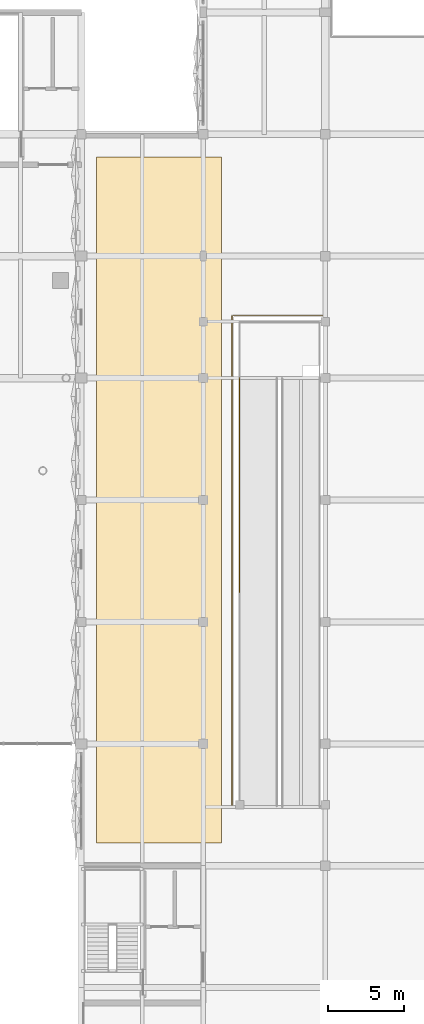
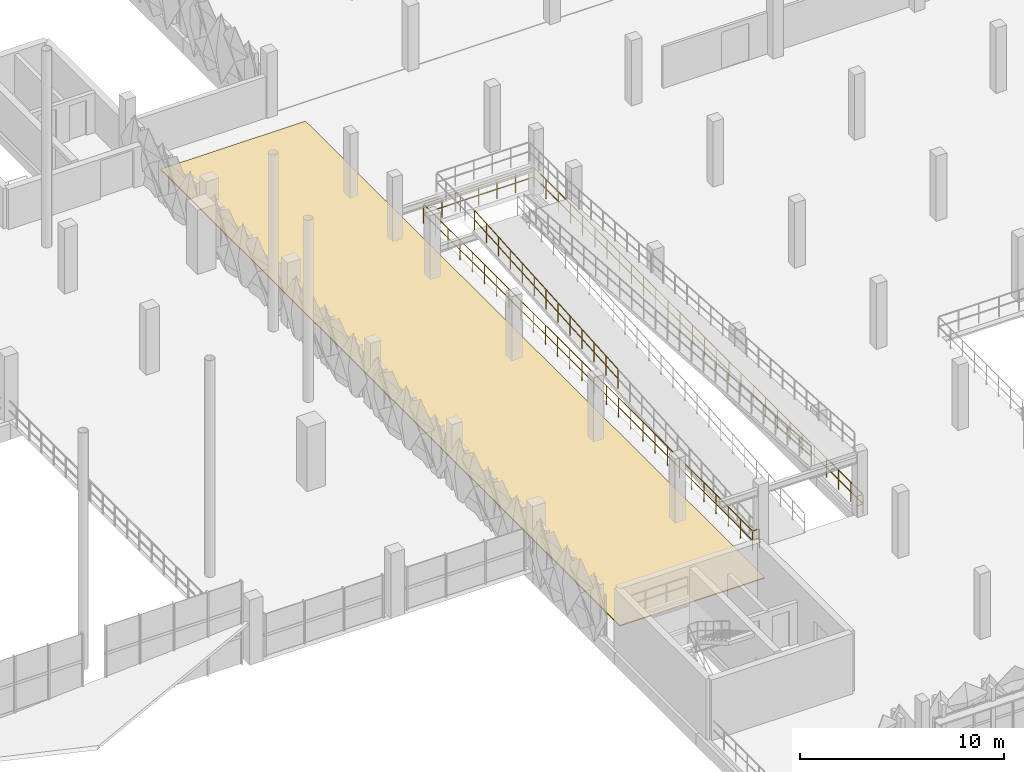
# One storey, part 117 of 123: 2 railings, 1 covering.
"""IFC4 building model written with IfcOpenShell, lengths in metres."""

import ifcopenshell
import ifcopenshell.guid

model = None  # the IFC model being written
_history = None  # IfcOwnerHistory: only IFC2X3 demands one
_inside = {}  # id of a spatial element -> (the spatial element, [elements in it])
_under = {}  # id of a project, library or spatial element -> (it, [spatial elements below it])
_declared = {}  # id of a project -> (the project, [libraries it declares])
_typed = {}  # id of a type object -> (the type object, [elements of that type])
_made_of = {}  # id of a material, layer set ... -> (it, [elements and type objects made of it])


def new_model(schema):
    """Start an empty IFC model of exactly this schema.

    Asked for "IFC4X3", IfcOpenShell would pick the latest addendum, in which some entities
    have other attributes; the version numbers below select the first issue.
    IFC2X3 requires an IfcOwnerHistory on every rooted entity: one is made here for all.
    """
    global model, _history
    if schema == "IFC4X3":
        model = ifcopenshell.file(schema_version=(4, 3, 0, 0))
    else:
        model = ifcopenshell.file(schema=schema)
    _inside.clear()
    _under.clear()
    _declared.clear()
    _typed.clear()
    _made_of.clear()
    _history = None
    if model.schema == "IFC2X3":
        org = make("IfcOrganization", Name="unknown")
        user = make(
            "IfcPersonAndOrganization",
            ThePerson=make("IfcPerson", FamilyName="unknown"),
            TheOrganization=org,
        )
        app = make(
            "IfcApplication",
            ApplicationDeveloper=org,
            Version="unknown",
            ApplicationFullName="unknown",
            ApplicationIdentifier="unknown",
        )
        _history = make(
            "IfcOwnerHistory",
            OwningUser=user,
            OwningApplication=app,
            ChangeAction="ADDED",
            CreationDate=0,
        )
    return model


def make(cls, **values):
    """One entity of the class cls with the attributes given. An attribute that is None is left unset."""
    return model.create_entity(
        cls, **{name: value for name, value in values.items() if value is not None}
    )


def rooted(cls, **values):
    """An entity with a GlobalId (a new one), such as an element, a storey or a relation."""
    return make(cls, GlobalId=ifcopenshell.guid.new(), OwnerHistory=_history, **values)


def si_unit(unit_type, name, prefix=None):
    """IfcSIUnit, for example si_unit("LENGTHUNIT", "METRE", prefix="MILLI")."""
    return make("IfcSIUnit", UnitType=unit_type, Prefix=prefix, Name=name)


def derived_unit(unit_type, elements):
    """IfcDerivedUnit: a product of units, each with its exponent."""
    return make(
        "IfcDerivedUnit",
        Elements=[
            make("IfcDerivedUnitElement", Unit=unit, Exponent=power)
            for unit, power in elements
        ],
        UnitType=unit_type,
    )


def assignment(units):
    """IfcUnitAssignment: the units of a project."""
    return None if units is None else make("IfcUnitAssignment", Units=units)


def point(xyz):
    """IfcCartesianPoint."""
    return None if xyz is None else make("IfcCartesianPoint", Coordinates=xyz)


def direction(xyz):
    """IfcDirection."""
    return None if xyz is None else make("IfcDirection", DirectionRatios=xyz)


def frame(location, z_axis=None, x_axis=None):
    """IfcAxis2Placement3D, a coordinate frame: its origin and axes. An axis left out is left unset."""
    return make(
        "IfcAxis2Placement3D",
        Location=point(location),
        Axis=direction(z_axis),
        RefDirection=direction(x_axis),
    )


def frame_2d(location, x_axis=None):
    """IfcAxis2Placement2D, a coordinate frame in the plane: its origin and x axis."""
    return make(
        "IfcAxis2Placement2D", Location=point(location), RefDirection=direction(x_axis)
    )


def origin():
    """The frame at (0, 0, 0) with its axes left unset."""
    return frame((0.0, 0.0, 0.0))


def origin_2d():
    """The frame at (0, 0) in the plane with its x axis left unset."""
    return frame_2d((0.0, 0.0))


def place(relative_to, where):
    """IfcLocalPlacement: puts the frame where relative to a parent placement (None: the world)."""
    return make(
        "IfcLocalPlacement", PlacementRelTo=relative_to, RelativePlacement=where
    )


def context(
    kind, dimensions, precision=None, world=None, true_north=None, identifier=None
):
    """IfcGeometricRepresentationContext, for example the 3D "Model" context."""
    return make(
        "IfcGeometricRepresentationContext",
        ContextIdentifier=identifier,
        ContextType=kind,
        CoordinateSpaceDimension=dimensions,
        Precision=precision,
        WorldCoordinateSystem=world,
        TrueNorth=true_north,
    )


def subcontext(parent, identifier, kind, view, scale=None):
    """IfcGeometricRepresentationSubContext, for example "Body" below "Model"."""
    return make(
        "IfcGeometricRepresentationSubContext",
        ContextIdentifier=identifier,
        ContextType=kind,
        ParentContext=parent,
        TargetScale=scale,
        TargetView=view,
    )


def project(units=None, contexts=None):
    """IfcProject with its units and contexts."""
    return rooted(
        "IfcProject",
        Name="project",
        RepresentationContexts=contexts,
        UnitsInContext=assignment(units),
    )


def spatial(cls, under=None, at=None, **own):
    """A site, building, storey or space (cls), placed at a placement, below another one or the project."""
    s = rooted(cls, ObjectPlacement=at, **own)
    if under is not None:
        _under.setdefault(under.id(), (under, []))[1].append(s)
    return s


def polyline(points):
    """IfcPolyline through the points."""
    return make("IfcPolyline", Points=[point(p) for p in points])


def profile(cls, at=None, kind="AREA", **sizes):
    """A parametric profile (cls). Its sizes go by their IFC names, for example OverallWidth=200.0."""
    return make(cls, ProfileType=kind, Position=at, **sizes)


def circle(**sizes):
    """IfcCircleProfileDef."""
    return profile("IfcCircleProfileDef", **sizes)


def outline(outer, holes=None, kind="AREA"):
    """IfcArbitraryClosedProfileDef: a profile drawn as a closed curve; with holes, ...WithVoids."""
    if holes is None:
        return make("IfcArbitraryClosedProfileDef", ProfileType=kind, OuterCurve=outer)
    return make(
        "IfcArbitraryProfileDefWithVoids",
        ProfileType=kind,
        OuterCurve=outer,
        InnerCurves=holes,
    )


def extrude(swept, where, along, depth):
    """IfcExtrudedAreaSolid: the profile swept, set in the frame where, extruded along a direction by depth."""
    return make(
        "IfcExtrudedAreaSolid",
        SweptArea=swept,
        Position=where,
        ExtrudedDirection=direction(along),
        Depth=depth,
    )


def shape(context_of_items, identifier, shape_type, items):
    """IfcShapeRepresentation: the items that make up one representation, for example the "Body"."""
    return make(
        "IfcShapeRepresentation",
        ContextOfItems=context_of_items,
        RepresentationIdentifier=identifier,
        RepresentationType=shape_type,
        Items=items,
    )


def material(Name=None, Category=None):
    """IfcMaterial."""
    return make("IfcMaterial", Name=Name, Category=Category)


def layer(
    of_material, thickness, ventilated=None, Name=None, Category=None, Priority=None
):
    """IfcMaterialLayer: one layer of a wall or slab, of a material (None: an air gap)."""
    return make(
        "IfcMaterialLayer",
        Material=of_material,
        LayerThickness=thickness,
        IsVentilated=ventilated,
        Name=Name,
        Category=Category,
        Priority=Priority,
    )


def layer_set(layers, Name=None):
    """IfcMaterialLayerSet."""
    return make("IfcMaterialLayerSet", MaterialLayers=layers, LayerSetName=Name)


def made_of(thing, what):
    """Note that an element or type object is made of a material, layer set ...; save() writes the relation."""
    if what is not None:
        _made_of.setdefault(what.id(), (what, []))[1].append(thing)
    return thing


def type_object(cls, material=None, **own):
    """A type object (cls), such as IfcWallType, which elements share."""
    return made_of(rooted(cls, **own), material)


def element(
    cls,
    number,
    at=None,
    inside=None,
    cuts=None,
    type_object=None,
    material=None,
    context=None,
    identifier="Body",
    shape_type=None,
    held_by="IfcProductDefinitionShape",
    body=None,
    shapes=None,
    **own,
):
    """One element of the class cls, such as IfcWall. Its Tag is "e" and its number.

    at: its placement. inside: the storey or other place that contains it. cuts: it is an
    opening in that element (IfcRelVoidsElement). A single representation is given by context,
    identifier, shape_type and body (its items); several are given by shapes. held_by: the class
    of the entity that holds the representations. save() writes the other relations.
    """
    e = rooted(cls, Tag="e%d" % number, ObjectPlacement=at, **own)
    if body is not None:
        shapes = [shape(context, identifier, shape_type, body)]
    if shapes is not None:
        e.Representation = make(held_by, Representations=shapes)
    if inside is not None:
        _inside.setdefault(inside.id(), (inside, []))[1].append(e)
    if cuts is not None:
        rooted(
            "IfcRelVoidsElement", RelatingBuildingElement=cuts, RelatedOpeningElement=e
        )
    if type_object is not None:
        _typed.setdefault(type_object.id(), (type_object, []))[1].append(e)
    return made_of(e, material)


def aggregate(whole, parts):
    """IfcRelAggregates: a whole, such as a stair, and the parts it consists of."""
    return rooted("IfcRelAggregates", RelatingObject=whole, RelatedObjects=parts)


def save(model, path):
    """Write the relations noted so far, then the file.

    IfcRelAggregates (storeys below a building ...), IfcRelContainedInSpatialStructure (elements
    in a storey), IfcRelDefinesByType, IfcRelAssociatesMaterial and IfcRelDeclares: one each for
    every whole, place, type object, material and project.
    """
    for whole, parts in _under.values():
        aggregate(whole, parts)
    for where, things in _inside.values():
        rooted(
            "IfcRelContainedInSpatialStructure",
            RelatedElements=things,
            RelatingStructure=where,
        )
    for kind, things in _typed.values():
        rooted("IfcRelDefinesByType", RelatedObjects=things, RelatingType=kind)
    for what, things in _made_of.values():
        rooted("IfcRelAssociatesMaterial", RelatedObjects=things, RelatingMaterial=what)
    for by, libraries in _declared.values():
        rooted("IfcRelDeclares", RelatingContext=by, RelatedDefinitions=libraries)
    model.write(path)


model = new_model("IFC4")

# Units and contexts
model_context = context("Model", 3, precision=1e-05, world=origin(), true_north=direction((0.0, 1.0)))
body_context = subcontext(model_context, "Body", "Model", "MODEL_VIEW")
ifc_project = project(units=[si_unit("LENGTHUNIT", "METRE"), si_unit("AREAUNIT", "SQUARE_METRE"), si_unit("VOLUMEUNIT", "CUBIC_METRE"), si_unit("PLANEANGLEUNIT", "RADIAN"), si_unit("MASSUNIT", "GRAM", prefix="KILO"), si_unit("THERMODYNAMICTEMPERATUREUNIT", "KELVIN"), derived_unit("THERMALTRANSMITTANCEUNIT", [(si_unit("POWERUNIT", "WATT"), 1), (si_unit("AREAUNIT", "SQUARE_METRE"), -1), (si_unit("THERMODYNAMICTEMPERATUREUNIT", "KELVIN"), -1)])], contexts=[model_context])

# Site, building, storey
site_placement = place(None, origin())
site = spatial("IfcSite", under=ifc_project, at=site_placement, CompositionType="ELEMENT")
building_placement = place(site_placement, origin())
building = spatial("IfcBuilding", under=site, at=building_placement, Name="Haiyu Intermodal Mobility Hub", CompositionType="ELEMENT")
storey_placement = place(building_placement, frame((0.0, 0.0, 5.60009765625)))
storey = spatial("IfcBuildingStorey", under=building, at=storey_placement, Name="L01", CompositionType="ELEMENT", Elevation=5.60009765625)

# Covering
ifc_material_1 = material(Name="Anodised aluminium 6063-T6", Category="aluminium")
ifc_layer = layer(ifc_material_1, 0.06005859375)
ifc_layer_set = layer_set([ifc_layer], Name="Anodised aluminium 6063-T6")
covering_type = type_object("IfcCoveringType", Name="COV-CV02", PredefinedType="CLADDING", material=ifc_layer_set)
covering_placement = place(storey_placement, origin())
element("IfcCovering", 1, at=covering_placement, inside=storey, type_object=covering_type, Name="COV-FLR-004", PredefinedType="CLADDING", context=body_context, shape_type="SweptSolid", body=[
    extrude(outline(polyline([(155.0, 33.5), (163.199951171875, 33.5), (163.199951171875, 78.5), (155.0, 78.5), (155.0, 33.5)])), origin(), (0.0, 0.0, 1.0), 0.059814453125),
])

# Railings
ifc_material_2 = material(Name="Steel Q355C", Category="steel")
railing_type = type_object("IfcRailingType", Name="RAL-GR03", PredefinedType="GUARDRAIL", material=ifc_material_2)
railing_1_placement = place(storey_placement, frame((164.3798828125, 49.949951171875, 0.974853515625)))
element("IfcRailing", 2, at=railing_1_placement, inside=storey, type_object=railing_type, Name="RAL-RMP-BIKE-L01-F1WB", PredefinedType="GUARDRAIL", context=body_context, shape_type="SweptSolid", body=[
    extrude(circle(Radius=0.02392578125, at=origin_2d()), frame((0.0, 0.030029296875, 1.157958984375), z_axis=(0.0, 0.997600365218, 0.069235188425), x_axis=(-1.0, 0.0, 0.0)), (0.0, 0.0, 1.0), 14.02392578125),
    extrude(circle(Radius=0.02392578125, at=origin_2d()), frame((0.0, 0.037109375, 0.592529296875), z_axis=(0.0, 0.997600365218, 0.069235188425), x_axis=(-1.0, 0.0, 0.0)), (0.0, 0.0, 1.0), 1.09912109375),
    extrude(circle(Radius=0.02392578125, at=origin_2d()), frame((0.0, 1.2080078125, 0.673828125), z_axis=(0.0, 0.997600365218, 0.069235188425), x_axis=(-1.0, 0.0, 0.0)), (0.0, 0.0, 1.0), 1.09912109375),
    extrude(circle(Radius=0.02392578125, at=origin_2d()), frame((0.0, 2.37890625, 0.755126953125), z_axis=(0.0, 0.997600365218, 0.069235188425), x_axis=(-1.0, 0.0, 0.0)), (0.0, 0.0, 1.0), 1.09912109375),
    extrude(circle(Radius=0.02392578125, at=origin_2d()), frame((0.0, 3.5498046875, 0.83642578125), z_axis=(0.0, 0.997600365218, 0.069235188425), x_axis=(-1.0, 0.0, 0.0)), (0.0, 0.0, 1.0), 1.09912109375),
    extrude(circle(Radius=0.02392578125, at=origin_2d()), frame((0.0, 4.720458984375, 0.91748046875), z_axis=(0.0, 0.997600365218, 0.069235188425), x_axis=(-1.0, 0.0, 0.0)), (0.0, 0.0, 1.0), 1.09912109375),
    extrude(circle(Radius=0.02392578125, at=origin_2d()), frame((0.0, 5.891357421875, 0.998779296875), z_axis=(0.0, 0.997600365218, 0.069235188425), x_axis=(-1.0, 0.0, 0.0)), (0.0, 0.0, 1.0), 1.09912109375),
    extrude(circle(Radius=0.02392578125, at=origin_2d()), frame((0.0, 7.062255859375, 1.080078125), z_axis=(0.0, 0.997600365218, 0.069235188425), x_axis=(-1.0, 0.0, 0.0)), (0.0, 0.0, 1.0), 1.09912109375),
    extrude(circle(Radius=0.02392578125, at=origin_2d()), frame((0.0, 8.233154296875, 1.161376953125), z_axis=(0.0, 0.997600365218, 0.069235188425), x_axis=(-1.0, 0.0, 0.0)), (0.0, 0.0, 1.0), 1.09912109375),
    extrude(circle(Radius=0.02392578125, at=origin_2d()), frame((0.0, 9.40380859375, 1.24267578125), z_axis=(0.0, 0.997600365218, 0.069235188425), x_axis=(-1.0, 0.0, 0.0)), (0.0, 0.0, 1.0), 1.09912109375),
    extrude(circle(Radius=0.02392578125, at=origin_2d()), frame((0.0, 10.57470703125, 1.323974609375), z_axis=(0.0, 0.997600365218, 0.069235188425), x_axis=(-1.0, 0.0, 0.0)), (0.0, 0.0, 1.0), 1.09912109375),
    extrude(circle(Radius=0.02392578125, at=origin_2d()), frame((0.0, 11.74560546875, 1.405029296875), z_axis=(0.0, 0.997600365218, 0.069235188425), x_axis=(-1.0, 0.0, 0.0)), (0.0, 0.0, 1.0), 1.09912109375),
    extrude(circle(Radius=0.02392578125, at=origin_2d()), frame((0.0, 12.91650390625, 1.486328125), z_axis=(0.0, 0.997600365218, 0.069235188425), x_axis=(-1.0, 0.0, 0.0)), (0.0, 0.0, 1.0), 1.09912109375),
    extrude(circle(Radius=0.02099609375, at=origin_2d()), origin(), (0.0, 0.0, 1.0), 1.123779296875),
    extrude(circle(Radius=0.02099609375, at=origin_2d()), frame((0.0, 1.1708984375, 0.081298828125)), (0.0, 0.0, 1.0), 1.123779296875),
    extrude(circle(Radius=0.02099609375, at=origin_2d()), frame((0.0, 2.341796875, 0.16259765625)), (0.0, 0.0, 1.0), 1.123779296875),
    extrude(circle(Radius=0.02099609375, at=origin_2d()), frame((0.0, 3.512451171875, 0.24365234375)), (0.0, 0.0, 1.0), 1.123779296875),
    extrude(circle(Radius=0.02099609375, at=origin_2d()), frame((0.0, 4.683349609375, 0.324951171875)), (0.0, 0.0, 1.0), 1.123779296875),
    extrude(circle(Radius=0.02099609375, at=origin_2d()), frame((0.0, 5.854248046875, 0.40625)), (0.0, 0.0, 1.0), 1.123779296875),
    extrude(circle(Radius=0.02099609375, at=origin_2d()), frame((0.0, 7.02490234375, 0.487548828125)), (0.0, 0.0, 1.0), 1.123779296875),
    extrude(circle(Radius=0.02099609375, at=origin_2d()), frame((0.0, 8.19580078125, 0.56884765625)), (0.0, 0.0, 1.0), 1.123779296875),
    extrude(circle(Radius=0.02099609375, at=origin_2d()), frame((0.0, 9.36669921875, 0.650146484375)), (0.0, 0.0, 1.0), 1.123779296875),
    extrude(circle(Radius=0.02099609375, at=origin_2d()), frame((0.0, 10.53759765625, 0.7314453125)), (0.0, 0.0, 1.0), 1.123779296875),
    extrude(circle(Radius=0.02099609375, at=origin_2d()), frame((0.0, 11.70849609375, 0.8125)), (0.0, 0.0, 1.0), 1.123779296875),
    extrude(circle(Radius=0.02099609375, at=origin_2d()), frame((0.0, 12.879150390625, 0.893798828125)), (0.0, 0.0, 1.0), 1.123779296875),
    extrude(circle(Radius=0.02099609375, at=origin_2d()), frame((0.0, 14.050048828125, 0.97509765625)), (0.0, 0.0, 1.0), 1.123779296875),
])
railing_2_placement = place(storey_placement, frame((164.260009765625, 35.8798828125, 0.0)))
element("IfcRailing", 3, at=railing_2_placement, inside=storey, type_object=railing_type, Name="RAL-BRMP-L01", PredefinedType="GUARDRAIL", context=body_context, shape_type="SweptSolid", body=[
    extrude(circle(Radius=0.02392578125, at=origin_2d()), frame((-0.030029296875, 0.0, 1.15576171875), z_axis=(-1.0, 0.0, 0.0), x_axis=(0.0, -1.0, 0.0)), (0.0, 0.0, 1.0), 0.320068359375),
    extrude(circle(Radius=0.02392578125, at=origin_2d()), frame((-0.037353515625, 0.0, 0.58984375), z_axis=(-1.0, 0.0, 0.0), x_axis=(0.0, -1.0, 0.0)), (0.0, 0.0, 1.0), 0.305419921875),
    extrude(circle(Radius=0.02392578125, at=origin_2d()), frame((-0.380126953125, 0.030029296875, 1.15576171875), z_axis=(0.0, 1.0, 0.0), x_axis=(-1.0, 0.0, 0.0)), (0.0, 0.0, 1.0), 32.18017578125),
    extrude(circle(Radius=0.02392578125, at=origin_2d()), frame((-0.380126953125, 0.037353515625, 0.58984375), z_axis=(0.0, 1.0, 0.0), x_axis=(-1.0, 0.0, 0.0)), (0.0, 0.0, 1.0), 1.119384765625),
    extrude(circle(Radius=0.02392578125, at=origin_2d()), frame((-0.380126953125, 1.2314453125, 0.58984375), z_axis=(0.0, 1.0, 0.0), x_axis=(-1.0, 0.0, 0.0)), (0.0, 0.0, 1.0), 1.119384765625),
    extrude(circle(Radius=0.02392578125, at=origin_2d()), frame((-0.380126953125, 2.425537109375, 0.58984375), z_axis=(0.0, 1.0, 0.0), x_axis=(-1.0, 0.0, 0.0)), (0.0, 0.0, 1.0), 1.119384765625),
    extrude(circle(Radius=0.02392578125, at=origin_2d()), frame((-0.380126953125, 3.61962890625, 0.58984375), z_axis=(0.0, 1.0, 0.0), x_axis=(-1.0, 0.0, 0.0)), (0.0, 0.0, 1.0), 1.119384765625),
    extrude(circle(Radius=0.02392578125, at=origin_2d()), frame((-0.380126953125, 4.813720703125, 0.58984375), z_axis=(0.0, 1.0, 0.0), x_axis=(-1.0, 0.0, 0.0)), (0.0, 0.0, 1.0), 1.119384765625),
    extrude(circle(Radius=0.02392578125, at=origin_2d()), frame((-0.380126953125, 6.0078125, 0.58984375), z_axis=(0.0, 1.0, 0.0), x_axis=(-1.0, 0.0, 0.0)), (0.0, 0.0, 1.0), 1.119384765625),
    extrude(circle(Radius=0.02392578125, at=origin_2d()), frame((-0.380126953125, 7.201904296875, 0.58984375), z_axis=(0.0, 1.0, 0.0), x_axis=(-1.0, 0.0, 0.0)), (0.0, 0.0, 1.0), 1.119384765625),
    extrude(circle(Radius=0.02392578125, at=origin_2d()), frame((-0.380126953125, 8.39599609375, 0.58984375), z_axis=(0.0, 1.0, 0.0), x_axis=(-1.0, 0.0, 0.0)), (0.0, 0.0, 1.0), 1.119384765625),
    extrude(circle(Radius=0.02392578125, at=origin_2d()), frame((-0.380126953125, 9.58984375, 0.58984375), z_axis=(0.0, 1.0, 0.0), x_axis=(-1.0, 0.0, 0.0)), (0.0, 0.0, 1.0), 1.119384765625),
    extrude(circle(Radius=0.02392578125, at=origin_2d()), frame((-0.380126953125, 10.783935546875, 0.58984375), z_axis=(0.0, 1.0, 0.0), x_axis=(-1.0, 0.0, 0.0)), (0.0, 0.0, 1.0), 1.119384765625),
    extrude(circle(Radius=0.02392578125, at=origin_2d()), frame((-0.380126953125, 11.97802734375, 0.58984375), z_axis=(0.0, 1.0, 0.0), x_axis=(-1.0, 0.0, 0.0)), (0.0, 0.0, 1.0), 1.119384765625),
    extrude(circle(Radius=0.02392578125, at=origin_2d()), frame((-0.380126953125, 13.172119140625, 0.58984375), z_axis=(0.0, 1.0, 0.0), x_axis=(-1.0, 0.0, 0.0)), (0.0, 0.0, 1.0), 1.119384765625),
    extrude(circle(Radius=0.02392578125, at=origin_2d()), frame((-0.380126953125, 14.3662109375, 0.58984375), z_axis=(0.0, 1.0, 0.0), x_axis=(-1.0, 0.0, 0.0)), (0.0, 0.0, 1.0), 1.119384765625),
    extrude(circle(Radius=0.02392578125, at=origin_2d()), frame((-0.380126953125, 15.560302734375, 0.58984375), z_axis=(0.0, 1.0, 0.0), x_axis=(-1.0, 0.0, 0.0)), (0.0, 0.0, 1.0), 1.119384765625),
    extrude(circle(Radius=0.02392578125, at=origin_2d()), frame((-0.380126953125, 16.75439453125, 0.58984375), z_axis=(0.0, 1.0, 0.0), x_axis=(-1.0, 0.0, 0.0)), (0.0, 0.0, 1.0), 1.119384765625),
    extrude(circle(Radius=0.02392578125, at=origin_2d()), frame((-0.380126953125, 17.948486328125, 0.58984375), z_axis=(0.0, 1.0, 0.0), x_axis=(-1.0, 0.0, 0.0)), (0.0, 0.0, 1.0), 1.119384765625),
    extrude(circle(Radius=0.02392578125, at=origin_2d()), frame((-0.380126953125, 19.142578125, 0.58984375), z_axis=(0.0, 1.0, 0.0), x_axis=(-1.0, 0.0, 0.0)), (0.0, 0.0, 1.0), 1.119384765625),
    extrude(circle(Radius=0.02392578125, at=origin_2d()), frame((-0.380126953125, 20.336669921875, 0.58984375), z_axis=(0.0, 1.0, 0.0), x_axis=(-1.0, 0.0, 0.0)), (0.0, 0.0, 1.0), 1.119384765625),
    extrude(circle(Radius=0.02392578125, at=origin_2d()), frame((-0.380126953125, 21.53076171875, 0.58984375), z_axis=(0.0, 1.0, 0.0), x_axis=(-1.0, 0.0, 0.0)), (0.0, 0.0, 1.0), 1.119384765625),
    extrude(circle(Radius=0.02392578125, at=origin_2d()), frame((-0.380126953125, 22.724853515625, 0.58984375), z_axis=(0.0, 1.0, 0.0), x_axis=(-1.0, 0.0, 0.0)), (0.0, 0.0, 1.0), 1.119384765625),
    extrude(circle(Radius=0.02392578125, at=origin_2d()), frame((-0.380126953125, 23.9189453125, 0.58984375), z_axis=(0.0, 1.0, 0.0), x_axis=(-1.0, 0.0, 0.0)), (0.0, 0.0, 1.0), 1.119384765625),
    extrude(circle(Radius=0.02392578125, at=origin_2d()), frame((-0.380126953125, 25.113037109375, 0.58984375), z_axis=(0.0, 1.0, 0.0), x_axis=(-1.0, 0.0, 0.0)), (0.0, 0.0, 1.0), 1.119384765625),
    extrude(circle(Radius=0.02392578125, at=origin_2d()), frame((-0.380126953125, 26.30712890625, 0.58984375), z_axis=(0.0, 1.0, 0.0), x_axis=(-1.0, 0.0, 0.0)), (0.0, 0.0, 1.0), 1.119384765625),
    extrude(circle(Radius=0.02392578125, at=origin_2d()), frame((-0.380126953125, 27.501220703125, 0.58984375), z_axis=(0.0, 1.0, 0.0), x_axis=(-1.0, 0.0, 0.0)), (0.0, 0.0, 1.0), 1.119384765625),
    extrude(circle(Radius=0.02392578125, at=origin_2d()), frame((-0.380126953125, 28.6953125, 0.58984375), z_axis=(0.0, 1.0, 0.0), x_axis=(-1.0, 0.0, 0.0)), (0.0, 0.0, 1.0), 1.119384765625),
    extrude(circle(Radius=0.02392578125, at=origin_2d()), frame((-0.380126953125, 29.889404296875, 0.58984375), z_axis=(0.0, 1.0, 0.0), x_axis=(-1.0, 0.0, 0.0)), (0.0, 0.0, 1.0), 1.119384765625),
    extrude(circle(Radius=0.02392578125, at=origin_2d()), frame((-0.380126953125, 31.08349609375, 0.58984375), z_axis=(0.0, 1.0, 0.0), x_axis=(-1.0, 0.0, 0.0)), (0.0, 0.0, 1.0), 1.119384765625),
    extrude(circle(Radius=0.02392578125, at=origin_2d()), frame((-0.35009765625, 32.240234375, 1.15576171875), z_axis=(1.0, 0.0, 0.0), x_axis=(0.0, 1.0, 0.0)), (0.0, 0.0, 1.0), 6.18017578125),
    extrude(circle(Radius=0.02392578125, at=origin_2d()), frame((-0.3427734375, 32.240234375, 0.58984375), z_axis=(1.0, 0.0, 0.0), x_axis=(0.0, 1.0, 0.0)), (0.0, 0.0, 1.0), 0.96533203125),
    extrude(circle(Radius=0.02392578125, at=origin_2d()), frame((0.697265625, 32.240234375, 0.58984375), z_axis=(1.0, 0.0, 0.0), x_axis=(0.0, 1.0, 0.0)), (0.0, 0.0, 1.0), 0.96533203125),
    extrude(circle(Radius=0.02392578125, at=origin_2d()), frame((1.7373046875, 32.240234375, 0.58984375), z_axis=(1.0, 0.0, 0.0), x_axis=(0.0, 1.0, 0.0)), (0.0, 0.0, 1.0), 0.96533203125),
    extrude(circle(Radius=0.02392578125, at=origin_2d()), frame((2.77734375, 32.240234375, 0.58984375), z_axis=(1.0, 0.0, 0.0), x_axis=(0.0, 1.0, 0.0)), (0.0, 0.0, 1.0), 0.96533203125),
    extrude(circle(Radius=0.02392578125, at=origin_2d()), frame((3.8173828125, 32.240234375, 0.58984375), z_axis=(1.0, 0.0, 0.0), x_axis=(0.0, 1.0, 0.0)), (0.0, 0.0, 1.0), 0.96533203125),
    extrude(circle(Radius=0.02392578125, at=origin_2d()), frame((4.857421875, 32.240234375, 0.58984375), z_axis=(1.0, 0.0, 0.0), x_axis=(0.0, 1.0, 0.0)), (0.0, 0.0, 1.0), 0.96533203125),
    extrude(circle(Radius=0.02392578125, at=origin_2d()), frame((5.860107421875, 32.210205078125, 1.15576171875), z_axis=(0.0, -1.0, 0.0), x_axis=(1.0, 0.0, 0.0)), (0.0, 0.0, 1.0), 32.18017578125),
    extrude(circle(Radius=0.02392578125, at=origin_2d()), frame((5.860107421875, 32.202880859375, 0.58984375), z_axis=(0.0, -1.0, 0.0), x_axis=(1.0, 0.0, 0.0)), (0.0, 0.0, 1.0), 1.119384765625),
    extrude(circle(Radius=0.02392578125, at=origin_2d()), frame((5.860107421875, 31.0087890625, 0.58984375), z_axis=(0.0, -1.0, 0.0), x_axis=(1.0, 0.0, 0.0)), (0.0, 0.0, 1.0), 1.119384765625),
    extrude(circle(Radius=0.02392578125, at=origin_2d()), frame((5.860107421875, 29.814697265625, 0.58984375), z_axis=(0.0, -1.0, 0.0), x_axis=(1.0, 0.0, 0.0)), (0.0, 0.0, 1.0), 1.119384765625),
    extrude(circle(Radius=0.02392578125, at=origin_2d()), frame((5.860107421875, 28.62060546875, 0.58984375), z_axis=(0.0, -1.0, 0.0), x_axis=(1.0, 0.0, 0.0)), (0.0, 0.0, 1.0), 1.119384765625),
    extrude(circle(Radius=0.02392578125, at=origin_2d()), frame((5.860107421875, 27.426513671875, 0.58984375), z_axis=(0.0, -1.0, 0.0), x_axis=(1.0, 0.0, 0.0)), (0.0, 0.0, 1.0), 1.119384765625),
    extrude(circle(Radius=0.02392578125, at=origin_2d()), frame((5.860107421875, 26.232421875, 0.58984375), z_axis=(0.0, -1.0, 0.0), x_axis=(1.0, 0.0, 0.0)), (0.0, 0.0, 1.0), 1.119384765625),
    extrude(circle(Radius=0.02392578125, at=origin_2d()), frame((5.860107421875, 25.038330078125, 0.58984375), z_axis=(0.0, -1.0, 0.0), x_axis=(1.0, 0.0, 0.0)), (0.0, 0.0, 1.0), 1.119384765625),
    extrude(circle(Radius=0.02392578125, at=origin_2d()), frame((5.860107421875, 23.84423828125, 0.58984375), z_axis=(0.0, -1.0, 0.0), x_axis=(1.0, 0.0, 0.0)), (0.0, 0.0, 1.0), 1.119384765625),
    extrude(circle(Radius=0.02392578125, at=origin_2d()), frame((5.860107421875, 22.650390625, 0.58984375), z_axis=(0.0, -1.0, 0.0), x_axis=(1.0, 0.0, 0.0)), (0.0, 0.0, 1.0), 1.119384765625),
    extrude(circle(Radius=0.02392578125, at=origin_2d()), frame((5.860107421875, 21.456298828125, 0.58984375), z_axis=(0.0, -1.0, 0.0), x_axis=(1.0, 0.0, 0.0)), (0.0, 0.0, 1.0), 1.119384765625),
    extrude(circle(Radius=0.02392578125, at=origin_2d()), frame((5.860107421875, 20.26220703125, 0.58984375), z_axis=(0.0, -1.0, 0.0), x_axis=(1.0, 0.0, 0.0)), (0.0, 0.0, 1.0), 1.119384765625),
    extrude(circle(Radius=0.02392578125, at=origin_2d()), frame((5.860107421875, 19.068115234375, 0.58984375), z_axis=(0.0, -1.0, 0.0), x_axis=(1.0, 0.0, 0.0)), (0.0, 0.0, 1.0), 1.119384765625),
    extrude(circle(Radius=0.02392578125, at=origin_2d()), frame((5.860107421875, 17.8740234375, 0.58984375), z_axis=(0.0, -1.0, 0.0), x_axis=(1.0, 0.0, 0.0)), (0.0, 0.0, 1.0), 1.119384765625),
    extrude(circle(Radius=0.02392578125, at=origin_2d()), frame((5.860107421875, 16.679931640625, 0.58984375), z_axis=(0.0, -1.0, 0.0), x_axis=(1.0, 0.0, 0.0)), (0.0, 0.0, 1.0), 1.119384765625),
    extrude(circle(Radius=0.02392578125, at=origin_2d()), frame((5.860107421875, 15.48583984375, 0.58984375), z_axis=(0.0, -1.0, 0.0), x_axis=(1.0, 0.0, 0.0)), (0.0, 0.0, 1.0), 1.119384765625),
    extrude(circle(Radius=0.02392578125, at=origin_2d()), frame((5.860107421875, 14.291748046875, 0.58984375), z_axis=(0.0, -1.0, 0.0), x_axis=(1.0, 0.0, 0.0)), (0.0, 0.0, 1.0), 1.119384765625),
    extrude(circle(Radius=0.02392578125, at=origin_2d()), frame((5.860107421875, 13.09765625, 0.58984375), z_axis=(0.0, -1.0, 0.0), x_axis=(1.0, 0.0, 0.0)), (0.0, 0.0, 1.0), 1.119384765625),
    extrude(circle(Radius=0.02392578125, at=origin_2d()), frame((5.860107421875, 11.903564453125, 0.58984375), z_axis=(0.0, -1.0, 0.0), x_axis=(1.0, 0.0, 0.0)), (0.0, 0.0, 1.0), 1.119384765625),
    extrude(circle(Radius=0.02392578125, at=origin_2d()), frame((5.860107421875, 10.70947265625, 0.58984375), z_axis=(0.0, -1.0, 0.0), x_axis=(1.0, 0.0, 0.0)), (0.0, 0.0, 1.0), 1.119384765625),
    extrude(circle(Radius=0.02392578125, at=origin_2d()), frame((5.860107421875, 9.515380859375, 0.58984375), z_axis=(0.0, -1.0, 0.0), x_axis=(1.0, 0.0, 0.0)), (0.0, 0.0, 1.0), 1.119384765625),
    extrude(circle(Radius=0.02392578125, at=origin_2d()), frame((5.860107421875, 8.3212890625, 0.58984375), z_axis=(0.0, -1.0, 0.0), x_axis=(1.0, 0.0, 0.0)), (0.0, 0.0, 1.0), 1.119384765625),
    extrude(circle(Radius=0.02392578125, at=origin_2d()), frame((5.860107421875, 7.127197265625, 0.58984375), z_axis=(0.0, -1.0, 0.0), x_axis=(1.0, 0.0, 0.0)), (0.0, 0.0, 1.0), 1.119384765625),
    extrude(circle(Radius=0.02392578125, at=origin_2d()), frame((5.860107421875, 5.93310546875, 0.58984375), z_axis=(0.0, -1.0, 0.0), x_axis=(1.0, 0.0, 0.0)), (0.0, 0.0, 1.0), 1.119384765625),
    extrude(circle(Radius=0.02392578125, at=origin_2d()), frame((5.860107421875, 4.739013671875, 0.58984375), z_axis=(0.0, -1.0, 0.0), x_axis=(1.0, 0.0, 0.0)), (0.0, 0.0, 1.0), 1.119384765625),
    extrude(circle(Radius=0.02392578125, at=origin_2d()), frame((5.860107421875, 3.544921875, 0.58984375), z_axis=(0.0, -1.0, 0.0), x_axis=(1.0, 0.0, 0.0)), (0.0, 0.0, 1.0), 1.119384765625),
    extrude(circle(Radius=0.02392578125, at=origin_2d()), frame((5.860107421875, 2.350830078125, 0.58984375), z_axis=(0.0, -1.0, 0.0), x_axis=(1.0, 0.0, 0.0)), (0.0, 0.0, 1.0), 1.119384765625),
    extrude(circle(Radius=0.02392578125, at=origin_2d()), frame((5.860107421875, 1.15673828125, 0.58984375), z_axis=(0.0, -1.0, 0.0), x_axis=(1.0, 0.0, 0.0)), (0.0, 0.0, 1.0), 1.119384765625),
    extrude(circle(Radius=0.02392578125, at=origin_2d()), frame((5.830078125, 0.0, 1.15576171875), z_axis=(-1.0, 0.0, 0.0), x_axis=(0.0, -1.0, 0.0)), (0.0, 0.0, 1.0), 0.320068359375),
    extrude(circle(Radius=0.02392578125, at=origin_2d()), frame((5.82275390625, 0.0, 0.58984375), z_axis=(-1.0, 0.0, 0.0), x_axis=(0.0, -1.0, 0.0)), (0.0, 0.0, 1.0), 0.305419921875),
    extrude(circle(Radius=0.02099609375, at=origin_2d()), origin(), (0.0, 0.0, 1.0), 1.123779296875),
    extrude(circle(Radius=0.02099609375, at=origin_2d()), frame((-0.380126953125, 0.0, 0.0)), (0.0, 0.0, 1.0), 1.123779296875),
    extrude(circle(Radius=0.02099609375, at=origin_2d()), frame((-0.380126953125, 1.194091796875, 0.0)), (0.0, 0.0, 1.0), 1.123779296875),
    extrude(circle(Radius=0.02099609375, at=origin_2d()), frame((-0.380126953125, 2.38818359375, 0.0)), (0.0, 0.0, 1.0), 1.123779296875),
    extrude(circle(Radius=0.02099609375, at=origin_2d()), frame((-0.380126953125, 3.582275390625, 0.0)), (0.0, 0.0, 1.0), 1.123779296875),
    extrude(circle(Radius=0.02099609375, at=origin_2d()), frame((-0.380126953125, 4.7763671875, 0.0)), (0.0, 0.0, 1.0), 1.123779296875),
    extrude(circle(Radius=0.02099609375, at=origin_2d()), frame((-0.380126953125, 5.970458984375, 0.0)), (0.0, 0.0, 1.0), 1.123779296875),
    extrude(circle(Radius=0.02099609375, at=origin_2d()), frame((-0.380126953125, 7.16455078125, 0.0)), (0.0, 0.0, 1.0), 1.123779296875),
    extrude(circle(Radius=0.02099609375, at=origin_2d()), frame((-0.380126953125, 8.358642578125, 0.0)), (0.0, 0.0, 1.0), 1.123779296875),
    extrude(circle(Radius=0.02099609375, at=origin_2d()), frame((-0.380126953125, 9.552734375, 0.0)), (0.0, 0.0, 1.0), 1.123779296875),
    extrude(circle(Radius=0.02099609375, at=origin_2d()), frame((-0.380126953125, 10.746826171875, 0.0)), (0.0, 0.0, 1.0), 1.123779296875),
    extrude(circle(Radius=0.02099609375, at=origin_2d()), frame((-0.380126953125, 11.94091796875, 0.0)), (0.0, 0.0, 1.0), 1.123779296875),
    extrude(circle(Radius=0.02099609375, at=origin_2d()), frame((-0.380126953125, 13.135009765625, 0.0)), (0.0, 0.0, 1.0), 1.123779296875),
    extrude(circle(Radius=0.02099609375, at=origin_2d()), frame((-0.380126953125, 14.3291015625, 0.0)), (0.0, 0.0, 1.0), 1.123779296875),
    extrude(circle(Radius=0.02099609375, at=origin_2d()), frame((-0.380126953125, 15.523193359375, 0.0)), (0.0, 0.0, 1.0), 1.123779296875),
    extrude(circle(Radius=0.02099609375, at=origin_2d()), frame((-0.380126953125, 16.717041015625, 0.0)), (0.0, 0.0, 1.0), 1.123779296875),
    extrude(circle(Radius=0.02099609375, at=origin_2d()), frame((-0.380126953125, 17.9111328125, 0.0)), (0.0, 0.0, 1.0), 1.123779296875),
    extrude(circle(Radius=0.02099609375, at=origin_2d()), frame((-0.380126953125, 19.105224609375, 0.0)), (0.0, 0.0, 1.0), 1.123779296875),
    extrude(circle(Radius=0.02099609375, at=origin_2d()), frame((-0.380126953125, 20.29931640625, 0.0)), (0.0, 0.0, 1.0), 1.123779296875),
    extrude(circle(Radius=0.02099609375, at=origin_2d()), frame((-0.380126953125, 21.493408203125, 0.0)), (0.0, 0.0, 1.0), 1.123779296875),
    extrude(circle(Radius=0.02099609375, at=origin_2d()), frame((-0.380126953125, 22.6875, 0.0)), (0.0, 0.0, 1.0), 1.123779296875),
    extrude(circle(Radius=0.02099609375, at=origin_2d()), frame((-0.380126953125, 23.881591796875, 0.0)), (0.0, 0.0, 1.0), 1.123779296875),
    extrude(circle(Radius=0.02099609375, at=origin_2d()), frame((-0.380126953125, 25.07568359375, 0.0)), (0.0, 0.0, 1.0), 1.123779296875),
    extrude(circle(Radius=0.02099609375, at=origin_2d()), frame((-0.380126953125, 26.269775390625, 0.0)), (0.0, 0.0, 1.0), 1.123779296875),
    extrude(circle(Radius=0.02099609375, at=origin_2d()), frame((-0.380126953125, 27.4638671875, 0.0)), (0.0, 0.0, 1.0), 1.123779296875),
    extrude(circle(Radius=0.02099609375, at=origin_2d()), frame((-0.380126953125, 28.657958984375, 0.0)), (0.0, 0.0, 1.0), 1.123779296875),
    extrude(circle(Radius=0.02099609375, at=origin_2d()), frame((-0.380126953125, 29.85205078125, 0.0)), (0.0, 0.0, 1.0), 1.123779296875),
    extrude(circle(Radius=0.02099609375, at=origin_2d()), frame((-0.380126953125, 31.046142578125, 0.0)), (0.0, 0.0, 1.0), 1.123779296875),
    extrude(circle(Radius=0.02099609375, at=origin_2d()), frame((-0.380126953125, 32.240234375, 0.0)), (0.0, 0.0, 1.0), 1.123779296875),
    extrude(circle(Radius=0.02099609375, at=origin_2d()), frame((0.659912109375, 32.240234375, 0.0)), (0.0, 0.0, 1.0), 1.123779296875),
    extrude(circle(Radius=0.02099609375, at=origin_2d()), frame((1.699951171875, 32.240234375, 0.0)), (0.0, 0.0, 1.0), 1.123779296875),
    extrude(circle(Radius=0.02099609375, at=origin_2d()), frame((2.739990234375, 32.240234375, 0.0)), (0.0, 0.0, 1.0), 1.123779296875),
    extrude(circle(Radius=0.02099609375, at=origin_2d()), frame((3.780029296875, 32.240234375, 0.0)), (0.0, 0.0, 1.0), 1.123779296875),
    extrude(circle(Radius=0.02099609375, at=origin_2d()), frame((4.820068359375, 32.240234375, 0.0)), (0.0, 0.0, 1.0), 1.123779296875),
    extrude(circle(Radius=0.02099609375, at=origin_2d()), frame((5.860107421875, 32.240234375, 0.0)), (0.0, 0.0, 1.0), 1.123779296875),
    extrude(circle(Radius=0.02099609375, at=origin_2d()), frame((5.860107421875, 31.046142578125, 0.0)), (0.0, 0.0, 1.0), 1.123779296875),
    extrude(circle(Radius=0.02099609375, at=origin_2d()), frame((5.860107421875, 29.85205078125, 0.0)), (0.0, 0.0, 1.0), 1.123779296875),
    extrude(circle(Radius=0.02099609375, at=origin_2d()), frame((5.860107421875, 28.657958984375, 0.0)), (0.0, 0.0, 1.0), 1.123779296875),
    extrude(circle(Radius=0.02099609375, at=origin_2d()), frame((5.860107421875, 27.4638671875, 0.0)), (0.0, 0.0, 1.0), 1.123779296875),
    extrude(circle(Radius=0.02099609375, at=origin_2d()), frame((5.860107421875, 26.269775390625, 0.0)), (0.0, 0.0, 1.0), 1.123779296875),
    extrude(circle(Radius=0.02099609375, at=origin_2d()), frame((5.860107421875, 25.07568359375, 0.0)), (0.0, 0.0, 1.0), 1.123779296875),
    extrude(circle(Radius=0.02099609375, at=origin_2d()), frame((5.860107421875, 23.881591796875, 0.0)), (0.0, 0.0, 1.0), 1.123779296875),
    extrude(circle(Radius=0.02099609375, at=origin_2d()), frame((5.860107421875, 22.6875, 0.0)), (0.0, 0.0, 1.0), 1.123779296875),
    extrude(circle(Radius=0.02099609375, at=origin_2d()), frame((5.860107421875, 21.493408203125, 0.0)), (0.0, 0.0, 1.0), 1.123779296875),
    extrude(circle(Radius=0.02099609375, at=origin_2d()), frame((5.860107421875, 20.29931640625, 0.0)), (0.0, 0.0, 1.0), 1.123779296875),
    extrude(circle(Radius=0.02099609375, at=origin_2d()), frame((5.860107421875, 19.105224609375, 0.0)), (0.0, 0.0, 1.0), 1.123779296875),
    extrude(circle(Radius=0.02099609375, at=origin_2d()), frame((5.860107421875, 17.9111328125, 0.0)), (0.0, 0.0, 1.0), 1.123779296875),
    extrude(circle(Radius=0.02099609375, at=origin_2d()), frame((5.860107421875, 16.717041015625, 0.0)), (0.0, 0.0, 1.0), 1.123779296875),
    extrude(circle(Radius=0.02099609375, at=origin_2d()), frame((5.860107421875, 15.523193359375, 0.0)), (0.0, 0.0, 1.0), 1.123779296875),
    extrude(circle(Radius=0.02099609375, at=origin_2d()), frame((5.860107421875, 14.3291015625, 0.0)), (0.0, 0.0, 1.0), 1.123779296875),
    extrude(circle(Radius=0.02099609375, at=origin_2d()), frame((5.860107421875, 13.135009765625, 0.0)), (0.0, 0.0, 1.0), 1.123779296875),
    extrude(circle(Radius=0.02099609375, at=origin_2d()), frame((5.860107421875, 11.94091796875, 0.0)), (0.0, 0.0, 1.0), 1.123779296875),
    extrude(circle(Radius=0.02099609375, at=origin_2d()), frame((5.860107421875, 10.746826171875, 0.0)), (0.0, 0.0, 1.0), 1.123779296875),
    extrude(circle(Radius=0.02099609375, at=origin_2d()), frame((5.860107421875, 9.552734375, 0.0)), (0.0, 0.0, 1.0), 1.123779296875),
    extrude(circle(Radius=0.02099609375, at=origin_2d()), frame((5.860107421875, 8.358642578125, 0.0)), (0.0, 0.0, 1.0), 1.123779296875),
    extrude(circle(Radius=0.02099609375, at=origin_2d()), frame((5.860107421875, 7.16455078125, 0.0)), (0.0, 0.0, 1.0), 1.123779296875),
    extrude(circle(Radius=0.02099609375, at=origin_2d()), frame((5.860107421875, 5.970458984375, 0.0)), (0.0, 0.0, 1.0), 1.123779296875),
    extrude(circle(Radius=0.02099609375, at=origin_2d()), frame((5.860107421875, 4.7763671875, 0.0)), (0.0, 0.0, 1.0), 1.123779296875),
    extrude(circle(Radius=0.02099609375, at=origin_2d()), frame((5.860107421875, 3.582275390625, 0.0)), (0.0, 0.0, 1.0), 1.123779296875),
    extrude(circle(Radius=0.02099609375, at=origin_2d()), frame((5.860107421875, 2.38818359375, 0.0)), (0.0, 0.0, 1.0), 1.123779296875),
    extrude(circle(Radius=0.02099609375, at=origin_2d()), frame((5.860107421875, 1.194091796875, 0.0)), (0.0, 0.0, 1.0), 1.123779296875),
    extrude(circle(Radius=0.02099609375, at=origin_2d()), frame((5.860107421875, 0.0, 0.0)), (0.0, 0.0, 1.0), 1.123779296875),
    extrude(circle(Radius=0.02099609375, at=origin_2d()), frame((5.47998046875, 0.0, 0.0)), (0.0, 0.0, 1.0), 1.123779296875),
])

save(model, "model.ifc")
